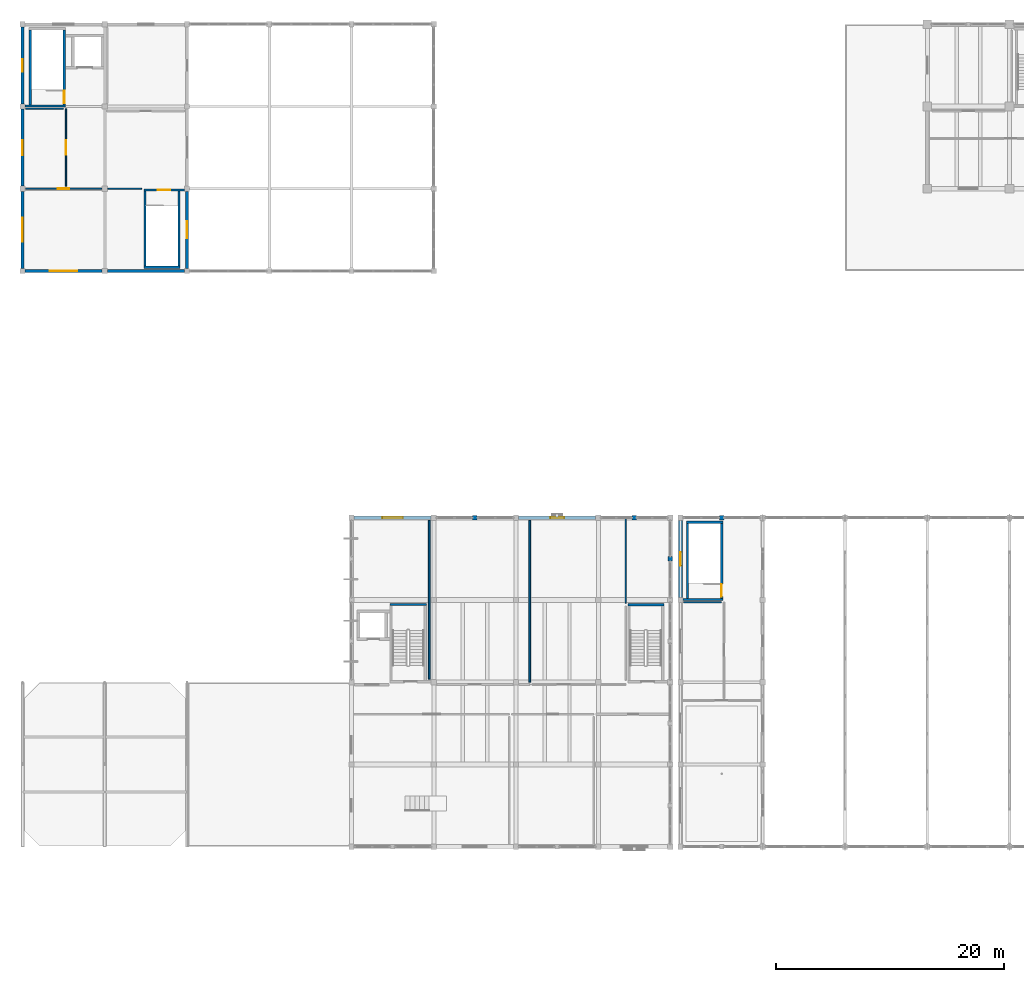
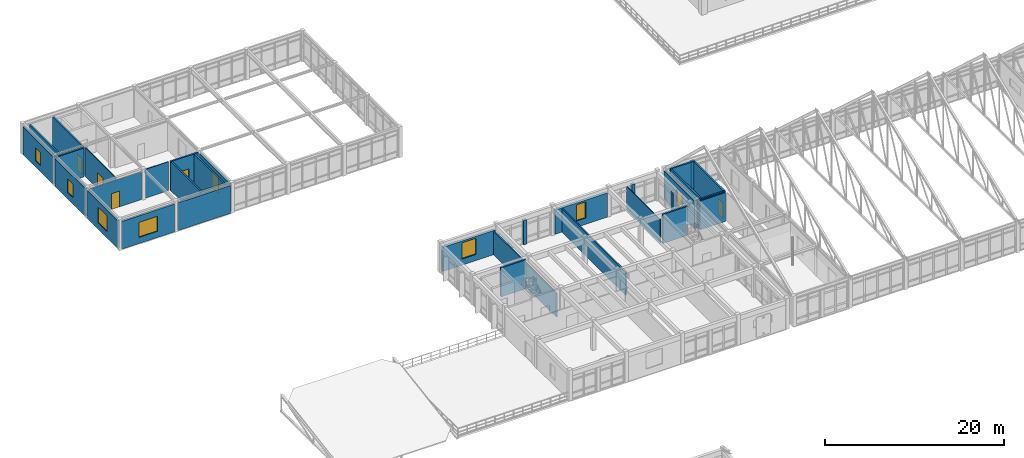
# One storey, part 113 of 136: 34 walls, 8 windows, 5 doors, 13 openings.
"""IFC4 building model written with IfcOpenShell, lengths in metres."""

from ifc_helpers import new_model, si_unit, direction, frame, frame_2d, origin, place, context, subcontext, project, spatial, rectangle, extrude, material, layer, layer_set, type_object, element, fill, save


model = new_model("IFC4")

# Units and contexts
model_context = context("Model", 3, precision=1e-05, world=origin(), true_north=direction((0.0, 1.0)))
body_context = subcontext(model_context, "Body", "Model", "MODEL_VIEW")
ifc_project = project(units=[si_unit("LENGTHUNIT", "METRE"), si_unit("AREAUNIT", "SQUARE_METRE"), si_unit("VOLUMEUNIT", "CUBIC_METRE"), si_unit("PLANEANGLEUNIT", "RADIAN"), si_unit("MASSUNIT", "GRAM", prefix="KILO")], contexts=[model_context])

# Site, building, storey
site_placement = place(None, origin())
site = spatial("IfcSite", under=ifc_project, at=site_placement, CompositionType="ELEMENT")
building_placement = place(site_placement, origin())
building = spatial("IfcBuilding", under=site, at=building_placement, Name="Koriwan Promenade Central Fire Station", CompositionType="ELEMENT")
storey_placement = place(building_placement, frame((0.0, 0.0, 5.39990234375)))
storey = spatial("IfcBuildingStorey", under=building, at=storey_placement, Name="L01", CompositionType="ELEMENT", Elevation=5.39990234375)

# Walls
ifc_material_1 = material(Name="Natural sillar sandstone ashlar", Category="masonry")
ifc_layer_1 = layer(ifc_material_1, 0.360107421875, Name="Natural sillar sandstone ashlar")
ifc_layer_set_1 = layer_set([ifc_layer_1], Name="Natural sillar sandstone ashlar")
wall_type_1 = type_object("IfcWallType", Name="ExtWall_SillarBase_360", PredefinedType="SOLIDWALL", material=ifc_layer_set_1)
wall_1_placement = place(storey_placement, frame((61.0, 72.0, 0.0), z_axis=(0.0, 0.0, 1.0), x_axis=(1.0, 0.0, 0.0)))
element("IfcWall", 1, at=wall_1_placement, inside=storey, type_object=wall_type_1, Name="V1 L01 sillar facade mullion pier 29", PredefinedType="SOLIDWALL", context=body_context, shape_type="SweptSolid", body=[
    extrude(rectangle(XDim=0.39990234375, YDim=0.360107421875, at=frame_2d((0.199951171875, 0.0))), origin(), (0.0, 0.0, 1.0), 3.72119140625),
])
wall_2_placement = place(storey_placement, frame((56.699951171875, 68.199951171875, 0.0), z_axis=(0.0, 0.0, 1.0), x_axis=(0.0, 1.0, 0.0)))
element("IfcWall", 2, at=wall_2_placement, inside=storey, type_object=wall_type_1, Name="V4 L01 sillar facade mullion pier 180", PredefinedType="SOLIDWALL", context=body_context, shape_type="SweptSolid", body=[
    extrude(rectangle(XDim=0.400146484375, YDim=0.360107421875, at=frame_2d((0.2001953125, 0.0))), origin(), (0.0, 0.0, 1.0), 3.2900390625),
])
wall_3_placement = place(storey_placement, frame((53.75, 72.0, 0.0), z_axis=(0.0, 0.0, 1.0), x_axis=(-1.0, 0.0, 0.0)))
element("IfcWall", 3, at=wall_3_placement, inside=storey, type_object=wall_type_1, Name="V4 L01 sillar facade mullion pier 181", PredefinedType="SOLIDWALL", context=body_context, shape_type="SweptSolid", body=[
    extrude(rectangle(XDim=0.39990234375, YDim=0.360107421875, at=frame_2d((0.199951171875, 0.0))), origin(), (0.0, 0.0, 1.0), 3.2900390625),
])
wall_4_placement = place(storey_placement, frame((39.800048828125, 72.0, 0.0), z_axis=(0.0, 0.0, 1.0), x_axis=(-1.0, 0.0, 0.0)))
element("IfcWall", 4, at=wall_4_placement, inside=storey, type_object=wall_type_1, Name="V4 L01 sillar facade mullion pier 183", PredefinedType="SOLIDWALL", context=body_context, shape_type="SweptSolid", body=[
    extrude(rectangle(XDim=0.400146484375, YDim=0.360107421875, at=frame_2d((0.2001953125, 0.0))), origin(), (0.0, 0.0, 1.0), 3.2900390625),
])

# Wall, opening, window
ifc_material_2 = material(Name="Precast concrete C40/50", Category="concrete")
ifc_layer_2 = layer(ifc_material_2, 0.320068359375, Name="Precast concrete C40/50")
ifc_layer_set_2 = layer_set([ifc_layer_2], Name="Precast concrete C40/50")
wall_type_2 = type_object("IfcWallType", Name="ExtWall_Terracotta_320", PredefinedType="ELEMENTEDWALL", material=ifc_layer_set_2)
wall_5_placement = place(storey_placement, frame((57.60009765625, 65.02490234375, 0.0), z_axis=(0.0, 0.0, 1.0), x_axis=(0.0, 1.0, 0.0)))
wall_5 = element("IfcWall", 5, at=wall_5_placement, inside=storey, type_object=wall_type_2, Name="V1 L01 exterior wall 28", PredefinedType="ELEMENTEDWALL", context=body_context, shape_type="SweptSolid", body=[
    extrude(rectangle(XDim=6.75, YDim=0.320068359375, at=frame_2d((3.375, 0.0))), origin(), (0.0, 0.0, 1.0), 3.773193359375),
])
opening_1_placement = place(wall_5_placement, frame((2.77490234375, 0.0, 0.85009765625)))
opening_1 = element("IfcOpeningElement", 6, at=opening_1_placement, cuts=wall_5, Name="Opening W-01", PredefinedType="OPENING", context=body_context, shape_type="SweptSolid", body=[
    extrude(rectangle(XDim=1.199951171875, YDim=2.199951171875, at=frame_2d((0.60009765625, 1.10009765625))), frame((0.0, 0.171875, 0.0), z_axis=(0.0, -1.0, 0.0), x_axis=(1.0, 0.0, 0.0)), (0.0, 0.0, 1.0), 0.343994140625),
])
ifc_material_3 = material(Name="Solar-control low-E laminated double glazing", Category="glass")
window_type_1 = type_object("IfcWindowType", Name="Win_Jharokha_1200x2200", PartitioningType="SINGLE_PANEL", PredefinedType="WINDOW", material=ifc_material_3)
window_1_placement = place(opening_1_placement, origin())
window_1 = element("IfcWindow", 7, at=window_1_placement, inside=storey, type_object=window_type_1, Name="V1 L01 window 0010", OverallHeight=2.199951171875, OverallWidth=1.199951171875, PartitioningType="SINGLE_PANEL", PredefinedType="WINDOW", context=body_context, shape_type="SweptSolid", body=[
    extrude(rectangle(XDim=1.199951171875, YDim=2.199951171875, at=frame_2d((0.60009765625, 1.10009765625))), frame((0.0, 0.030029296875, 0.0), z_axis=(0.0, -1.0, 0.0), x_axis=(1.0, 0.0, 0.0)), (0.0, 0.0, 1.0), 0.06005859375),
])
fill(opening_1, window_1)

wall_6_placement = place(storey_placement, frame((50.175048828125, 72.0, 0.0), z_axis=(0.0, 0.0, 1.0), x_axis=(-1.0, 0.0, 0.0)))
wall_6 = element("IfcWall", 8, at=wall_6_placement, inside=storey, type_object=wall_type_2, Name="V4 L01 exterior wall 182", PredefinedType="ELEMENTEDWALL", context=body_context, shape_type="SweptSolid", body=[
    extrude(rectangle(XDim=6.75, YDim=0.320068359375, at=frame_2d((3.375, 0.0))), origin(), (0.0, 0.0, 1.0), 3.2900390625),
])
opening_2_placement = place(wall_6_placement, frame((2.77490234375, 0.0, 0.85009765625)))
opening_2 = element("IfcOpeningElement", 9, at=opening_2_placement, cuts=wall_6, Name="Opening W-01", PredefinedType="OPENING", context=body_context, shape_type="SweptSolid", body=[
    extrude(rectangle(XDim=1.199951171875, YDim=2.199951171875, at=frame_2d((0.60009765625, 1.10009765625))), frame((0.0, 0.171875, 0.0), z_axis=(0.0, -1.0, 0.0), x_axis=(1.0, 0.0, 0.0)), (0.0, 0.0, 1.0), 0.343994140625),
])
window_2_placement = place(opening_2_placement, origin())
window_2 = element("IfcWindow", 10, at=window_2_placement, inside=storey, type_object=window_type_1, Name="V4 L01 window 0072", OverallHeight=2.199951171875, OverallWidth=1.199951171875, PartitioningType="SINGLE_PANEL", PredefinedType="WINDOW", context=body_context, shape_type="SweptSolid", body=[
    extrude(rectangle(XDim=1.199951171875, YDim=2.199951171875, at=frame_2d((0.60009765625, 1.10009765625))), frame((0.0, 0.030029296875, 0.0), z_axis=(0.0, -1.0, 0.0), x_axis=(1.0, 0.0, 0.0)), (0.0, 0.0, 1.0), 0.06005859375),
])
fill(opening_2, window_2)

wall_7_placement = place(storey_placement, frame((35.77490234375, 72.0, 0.0), z_axis=(0.0, 0.0, 1.0), x_axis=(-1.0, 0.0, 0.0)))
wall_7 = element("IfcWall", 11, at=wall_7_placement, inside=storey, type_object=wall_type_2, Name="V4 L01 exterior wall 184", PredefinedType="ELEMENTEDWALL", context=body_context, shape_type="SweptSolid", body=[
    extrude(rectangle(XDim=6.75, YDim=0.320068359375, at=frame_2d((3.375, 0.0))), origin(), (0.0, 0.0, 1.0), 3.2900390625),
])
opening_3_placement = place(wall_7_placement, frame((2.47509765625, 0.0, 0.85009765625)))
opening_3 = element("IfcOpeningElement", 12, at=opening_3_placement, cuts=wall_7, Name="Opening W-03", PredefinedType="OPENING", context=body_context, shape_type="SweptSolid", body=[
    extrude(rectangle(XDim=1.800048828125, YDim=2.199951171875, at=frame_2d((0.89990234375, 1.10009765625))), frame((0.0, 0.171875, 0.0), z_axis=(0.0, -1.0, 0.0), x_axis=(1.0, 0.0, 0.0)), (0.0, 0.0, 1.0), 0.343994140625),
])
window_type_2 = type_object("IfcWindowType", Name="Win_Jharokha_1800x2200", PartitioningType="SINGLE_PANEL", PredefinedType="WINDOW", material=ifc_material_3)
window_3_placement = place(opening_3_placement, origin())
window_3 = element("IfcWindow", 13, at=window_3_placement, inside=storey, type_object=window_type_2, Name="V4 L01 window 0073", OverallHeight=2.199951171875, OverallWidth=1.800048828125, PartitioningType="SINGLE_PANEL", PredefinedType="WINDOW", context=body_context, shape_type="SweptSolid", body=[
    extrude(rectangle(XDim=1.800048828125, YDim=2.199951171875, at=frame_2d((0.89990234375, 1.10009765625))), frame((0.0, 0.030029296875, 0.0), z_axis=(0.0, -1.0, 0.0), x_axis=(1.0, 0.0, 0.0)), (0.0, 0.0, 1.0), 0.06005859375),
])
fill(opening_3, window_3)

ifc_layer_3 = layer(ifc_material_2, 0.260009765625, Name="Precast concrete C40/50")
ifc_layer_set_3 = layer_set([ifc_layer_3], Name="Precast concrete C40/50")
wall_type_3 = type_object("IfcWallType", Name="ExtWall_WorkshopRed_260", PredefinedType="STANDARD", material=ifc_layer_set_3)
wall_8_placement = place(storey_placement, frame((14.39990234375, 93.824951171875, 0.0), z_axis=(0.0, 0.0, 1.0), x_axis=(0.0, 1.0, 0.0)))
wall_8 = element("IfcWall", 14, at=wall_8_placement, inside=storey, type_object=wall_type_3, Name="V6 L01 exterior wall 351", PredefinedType="STANDARD", context=body_context, shape_type="SweptSolid", body=[
    extrude(rectangle(XDim=6.75, YDim=0.260009765625, at=frame_2d((3.375, 0.0))), origin(), (0.0, 0.0, 1.0), 3.773193359375),
])
opening_4_placement = place(wall_8_placement, frame((2.625, 0.0, 0.85009765625)))
opening_4 = element("IfcOpeningElement", 15, at=opening_4_placement, cuts=wall_8, Name="Opening W-02", PredefinedType="OPENING", context=body_context, shape_type="SweptSolid", body=[
    extrude(rectangle(XDim=1.5, YDim=2.199951171875, at=frame_2d((0.75, 1.10009765625))), frame((0.0, 0.14208984375, 0.0), z_axis=(0.0, -1.0, 0.0), x_axis=(1.0, 0.0, 0.0)), (0.0, 0.0, 1.0), 0.283935546875),
])
window_type_3 = type_object("IfcWindowType", Name="Win_Jharokha_1500x2200", PartitioningType="SINGLE_PANEL", PredefinedType="WINDOW", material=ifc_material_3)
window_4_placement = place(opening_4_placement, origin())
window_4 = element("IfcWindow", 16, at=window_4_placement, inside=storey, type_object=window_type_3, Name="V6 L01 window 0115", OverallHeight=2.199951171875, OverallWidth=1.5, PartitioningType="SINGLE_PANEL", PredefinedType="WINDOW", context=body_context, shape_type="SweptSolid", body=[
    extrude(rectangle(XDim=1.5, YDim=2.199951171875, at=frame_2d((0.75, 1.10009765625))), frame((0.0, 0.030029296875, 0.0), z_axis=(0.0, -1.0, 0.0), x_axis=(1.0, 0.0, 0.0)), (0.0, 0.0, 1.0), 0.06005859375),
])
fill(opening_4, window_4)

wall_9_placement = place(storey_placement, frame((0.0, 114.97509765625, 0.0), z_axis=(0.0, 0.0, 1.0), x_axis=(0.0, -1.0, 0.0)))
wall_9 = element("IfcWall", 17, at=wall_9_placement, inside=storey, type_object=wall_type_3, Name="V6 L01 exterior wall 356", PredefinedType="STANDARD", context=body_context, shape_type="SweptSolid", body=[
    extrude(rectangle(XDim=6.75, YDim=0.260009765625, at=frame_2d((3.375, 0.0))), origin(), (0.0, 0.0, 1.0), 3.773193359375),
])
opening_5_placement = place(wall_9_placement, frame((2.824951171875, 0.0, 0.85009765625)))
opening_5 = element("IfcOpeningElement", 18, at=opening_5_placement, cuts=wall_9, Name="Opening W-09", PredefinedType="OPENING", context=body_context, shape_type="SweptSolid", body=[
    extrude(rectangle(XDim=1.10009765625, YDim=1.75, at=frame_2d((0.550048828125, 0.875))), frame((0.0, 0.14208984375, 0.0), z_axis=(0.0, -1.0, 0.0), x_axis=(1.0, 0.0, 0.0)), (0.0, 0.0, 1.0), 0.283935546875),
])
window_type_4 = type_object("IfcWindowType", Name="Win_Drill_1100x1750", PartitioningType="SINGLE_PANEL", PredefinedType="WINDOW", material=ifc_material_3)
window_5_placement = place(opening_5_placement, origin())
window_5 = element("IfcWindow", 19, at=window_5_placement, inside=storey, type_object=window_type_4, Name="V6 L01 window 0120", OverallHeight=1.75, OverallWidth=1.10009765625, PartitioningType="SINGLE_PANEL", PredefinedType="WINDOW", context=body_context, shape_type="SweptSolid", body=[
    extrude(rectangle(XDim=1.10009765625, YDim=1.75, at=frame_2d((0.550048828125, 0.875))), frame((0.0, 0.030029296875, 0.0), z_axis=(0.0, -1.0, 0.0), x_axis=(1.0, 0.0, 0.0)), (0.0, 0.0, 1.0), 0.06005859375),
])
fill(opening_5, window_5)

wall_10_placement = place(storey_placement, frame((0.0, 107.77490234375, 0.0), z_axis=(0.0, 0.0, 1.0), x_axis=(0.0, -1.0, 0.0)))
wall_10 = element("IfcWall", 20, at=wall_10_placement, inside=storey, type_object=wall_type_3, Name="V6 L01 exterior wall 357", PredefinedType="STANDARD", context=body_context, shape_type="SweptSolid", body=[
    extrude(rectangle(XDim=6.75, YDim=0.260009765625, at=frame_2d((3.375, 0.0))), origin(), (0.0, 0.0, 1.0), 3.773193359375),
])
opening_6_placement = place(wall_10_placement, frame((2.72509765625, 0.0, 0.85009765625)))
opening_6 = element("IfcOpeningElement", 21, at=opening_6_placement, cuts=wall_10, Name="Opening W-10", PredefinedType="OPENING", context=body_context, shape_type="SweptSolid", body=[
    extrude(rectangle(XDim=1.300048828125, YDim=1.85009765625, at=frame_2d((0.64990234375, 0.925048828125))), frame((0.0, 0.14208984375, 0.0), z_axis=(0.0, -1.0, 0.0), x_axis=(1.0, 0.0, 0.0)), (0.0, 0.0, 1.0), 0.283935546875),
])
window_type_5 = type_object("IfcWindowType", Name="Win_Drill_1300x1850", PartitioningType="SINGLE_PANEL", PredefinedType="WINDOW", material=ifc_material_3)
window_6_placement = place(opening_6_placement, origin())
window_6 = element("IfcWindow", 22, at=window_6_placement, inside=storey, type_object=window_type_5, Name="V6 L01 window 0121", OverallHeight=1.85009765625, OverallWidth=1.300048828125, PartitioningType="SINGLE_PANEL", PredefinedType="WINDOW", context=body_context, shape_type="SweptSolid", body=[
    extrude(rectangle(XDim=1.300048828125, YDim=1.85009765625, at=frame_2d((0.64990234375, 0.925048828125))), frame((0.0, 0.030029296875, 0.0), z_axis=(0.0, -1.0, 0.0), x_axis=(1.0, 0.0, 0.0)), (0.0, 0.0, 1.0), 0.06005859375),
])
fill(opening_6, window_6)

wall_11_placement = place(storey_placement, frame((0.0, 100.574951171875, 0.0), z_axis=(0.0, 0.0, 1.0), x_axis=(0.0, -1.0, 0.0)))
wall_11 = element("IfcWall", 23, at=wall_11_placement, inside=storey, type_object=wall_type_3, Name="V6 L01 exterior wall 358", PredefinedType="STANDARD", context=body_context, shape_type="SweptSolid", body=[
    extrude(rectangle(XDim=6.75, YDim=0.260009765625, at=frame_2d((3.375, 0.0))), origin(), (0.0, 0.0, 1.0), 3.773193359375),
])
opening_7_placement = place(wall_11_placement, frame((2.324951171875, 0.0, 0.85009765625)))
opening_7 = element("IfcOpeningElement", 24, at=opening_7_placement, cuts=wall_11, Name="Opening W-11", PredefinedType="OPENING", context=body_context, shape_type="SweptSolid", body=[
    extrude(rectangle(XDim=2.10009765625, YDim=2.14990234375, at=frame_2d((1.050048828125, 1.074951171875))), frame((0.0, 0.14208984375, 0.0), z_axis=(0.0, -1.0, 0.0), x_axis=(1.0, 0.0, 0.0)), (0.0, 0.0, 1.0), 0.283935546875),
])
window_type_6 = type_object("IfcWindowType", Name="Win_Pavilion_2100x2150", PartitioningType="SINGLE_PANEL", PredefinedType="WINDOW", material=ifc_material_3)
window_7_placement = place(opening_7_placement, origin())
window_7 = element("IfcWindow", 25, at=window_7_placement, inside=storey, type_object=window_type_6, Name="V6 L01 window 0122", OverallHeight=2.14990234375, OverallWidth=2.10009765625, PartitioningType="SINGLE_PANEL", PredefinedType="WINDOW", context=body_context, shape_type="SweptSolid", body=[
    extrude(rectangle(XDim=2.10009765625, YDim=2.14990234375, at=frame_2d((1.050048828125, 1.074951171875))), frame((0.0, 0.030029296875, 0.0), z_axis=(0.0, -1.0, 0.0), x_axis=(1.0, 0.0, 0.0)), (0.0, 0.0, 1.0), 0.06005859375),
])
fill(opening_7, window_7)

wall_12_placement = place(storey_placement, frame((0.22509765625, 93.60009765625, 0.0), z_axis=(0.0, 0.0, 1.0), x_axis=(1.0, 0.0, 0.0)))
wall_12 = element("IfcWall", 26, at=wall_12_placement, inside=storey, type_object=wall_type_3, Name="V6 L01 exterior wall 359", PredefinedType="STANDARD", context=body_context, shape_type="SweptSolid", body=[
    extrude(rectangle(XDim=6.75, YDim=0.260009765625, at=frame_2d((3.375, 0.0))), origin(), (0.0, 0.0, 1.0), 3.775146484375),
])
opening_8_placement = place(wall_12_placement, frame((2.175048828125, 0.0, 0.85009765625)))
opening_8 = element("IfcOpeningElement", 27, at=opening_8_placement, cuts=wall_12, Name="Opening W-12", PredefinedType="OPENING", context=body_context, shape_type="SweptSolid", body=[
    extrude(rectangle(XDim=2.39990234375, YDim=2.050048828125, at=frame_2d((1.199951171875, 1.02490234375))), frame((0.0, 0.14208984375, 0.0), z_axis=(0.0, -1.0, 0.0), x_axis=(1.0, 0.0, 0.0)), (0.0, 0.0, 1.0), 0.283935546875),
])
window_type_7 = type_object("IfcWindowType", Name="Win_Pavilion_2400x2050", PartitioningType="SINGLE_PANEL", PredefinedType="WINDOW", material=ifc_material_3)
window_8_placement = place(opening_8_placement, origin())
window_8 = element("IfcWindow", 28, at=window_8_placement, inside=storey, type_object=window_type_7, Name="V6 L01 window 0123", OverallHeight=2.050048828125, OverallWidth=2.39990234375, PartitioningType="SINGLE_PANEL", PredefinedType="WINDOW", context=body_context, shape_type="SweptSolid", body=[
    extrude(rectangle(XDim=2.39990234375, YDim=2.050048828125, at=frame_2d((1.199951171875, 1.02490234375))), frame((0.0, 0.030029296875, 0.0), z_axis=(0.0, -1.0, 0.0), x_axis=(1.0, 0.0, 0.0)), (0.0, 0.0, 1.0), 0.06005859375),
])
fill(opening_8, window_8)

# Walls
wall_13_placement = place(storey_placement, frame((7.425048828125, 93.60009765625, 0.0), z_axis=(0.0, 0.0, 1.0), x_axis=(1.0, 0.0, 0.0)))
element("IfcWall", 29, at=wall_13_placement, inside=storey, type_object=wall_type_3, Name="V6 L01 exterior wall 360", PredefinedType="STANDARD", context=body_context, shape_type="SweptSolid", body=[
    extrude(rectangle(XDim=6.75, YDim=0.260009765625, at=frame_2d((3.375, 0.0))), origin(), (0.0, 0.0, 1.0), 3.775146484375),
])
ifc_material_4 = material(Name="Gypsum board acoustic stud partition", Category="gypsum")
ifc_layer_4 = layer(ifc_material_4, 0.10009765625, Name="Gypsum board acoustic stud partition")
ifc_layer_set_4 = layer_set([ifc_layer_4], Name="Gypsum board acoustic stud partition")
wall_type_4 = type_object("IfcWallType", Name="IntWall_Drywall_100", PredefinedType="PARTITIONING", material=ifc_layer_set_4)
wall_14_placement = place(storey_placement, frame((52.800048828125, 64.51611328125, 0.0), z_axis=(0.0, 0.0, 1.0), x_axis=(0.0, 1.0, 0.0)))
element("IfcWall", 30, at=wall_14_placement, inside=storey, type_object=wall_type_4, Name="Crew Fitness Gym and Conditioning Studio partition E", PredefinedType="PARTITIONING", context=body_context, shape_type="SweptSolid", body=[
    extrude(rectangle(XDim=7.48388671875, YDim=0.10009765625, at=frame_2d((3.741943359375, 0.0))), origin(), (0.0, 0.0, 1.0), 3.18798828125),
])

# Wall, opening, door
wall_15_placement = place(storey_placement, frame((0.264892578125, 100.800048828125, 0.0), z_axis=(0.0, 0.0, 1.0), x_axis=(1.0, 0.0, 0.0)))
wall_15 = element("IfcWall", 31, at=wall_15_placement, inside=storey, type_object=wall_type_4, Name="Fleet Engineering Office partition N", PredefinedType="PARTITIONING", context=body_context, shape_type="SweptSolid", body=[
    extrude(rectangle(XDim=6.670166015625, YDim=0.10009765625, at=frame_2d((3.3349609375, 0.0))), origin(), (0.0, 0.0, 1.0), 3.773193359375),
])
opening_9_placement = place(wall_15_placement, frame((2.8349609375, 0.0, 0.0)))
opening_9 = element("IfcOpeningElement", 32, at=opening_9_placement, cuts=wall_15, Name="Opening D-200", PredefinedType="OPENING", context=body_context, shape_type="SweptSolid", body=[
    extrude(rectangle(XDim=1.0, YDim=2.14990234375, at=frame_2d((0.5, 1.074951171875))), frame((0.0, 0.06201171875, 0.0), z_axis=(0.0, -1.0, 0.0), x_axis=(1.0, 0.0, 0.0)), (0.0, 0.0, 1.0), 0.1240234375),
])
ifc_material_5 = material(Name="Hardwood veneer solid-core timber", Category="wood")
door_type_1 = type_object("IfcDoorType", Name="RoomDoor_Office_1000x2150", OperationType="NOTDEFINED", PredefinedType="DOOR", material=ifc_material_5)
door_1_placement = place(opening_9_placement, origin())
door_1 = element("IfcDoor", 33, at=door_1_placement, inside=storey, type_object=door_type_1, Name="Fleet Engineering Office Door D-200", OperationType="SINGLE_SWING_RIGHT", OverallHeight=2.14990234375, OverallWidth=1.0, PredefinedType="DOOR", context=body_context, shape_type="SweptSolid", body=[
    extrude(rectangle(XDim=1.0, YDim=2.14990234375, at=frame_2d((0.5, 1.074951171875))), frame((0.0, 0.02490234375, 0.0), z_axis=(0.0, -1.0, 0.0), x_axis=(1.0, 0.0, 0.0)), (0.0, 0.0, 1.0), 0.050048828125),
])
fill(opening_9, door_1)

# Wall
wall_16_placement = place(storey_placement, frame((7.465087890625, 100.800048828125, 0.0), z_axis=(0.0, 0.0, 1.0), x_axis=(1.0, 0.0, 0.0)))
element("IfcWall", 34, at=wall_16_placement, inside=storey, type_object=wall_type_4, Name="Fleet Engineering Office partition N", PredefinedType="PARTITIONING", context=body_context, shape_type="SweptSolid", body=[
    extrude(rectangle(XDim=2.94921875, YDim=0.10009765625, at=frame_2d((1.474609375, 0.0))), origin(), (0.0, 0.0, 1.0), 3.920166015625),
])

# Wall, opening, door
wall_17_placement = place(storey_placement, frame((3.800048828125, 101.02001953125, 0.0), z_axis=(0.0, 0.0, 1.0), x_axis=(0.0, 1.0, 0.0)))
wall_17 = element("IfcWall", 35, at=wall_17_placement, inside=storey, type_object=wall_type_4, Name="Hose and SCBA Cylinder Testing Lab partition E", PredefinedType="PARTITIONING", context=body_context, shape_type="SweptSolid", body=[
    extrude(rectangle(XDim=6.780029296875, YDim=0.10009765625, at=frame_2d((3.39013671875, 0.0))), origin(), (0.0, 0.0, 1.0), 3.920166015625),
])
opening_10_placement = place(wall_17_placement, frame((2.764892578125, 0.0, 0.0)))
opening_10 = element("IfcOpeningElement", 36, at=opening_10_placement, cuts=wall_17, Name="Opening D-201", PredefinedType="OPENING", context=body_context, shape_type="SweptSolid", body=[
    extrude(rectangle(XDim=1.25, YDim=2.14990234375, at=frame_2d((0.625, 1.074951171875))), frame((0.0, 0.06201171875, 0.0), z_axis=(0.0, -1.0, 0.0), x_axis=(1.0, 0.0, 0.0)), (0.0, 0.0, 1.0), 0.1240234375),
])
door_type_2 = type_object("IfcDoorType", Name="RoomDoor_Lab_1250x2150", OperationType="NOTDEFINED", PredefinedType="DOOR", material=ifc_material_5)
door_2_placement = place(opening_10_placement, origin())
door_2 = element("IfcDoor", 37, at=door_2_placement, inside=storey, type_object=door_type_2, Name="Hose and SCBA Cylinder Testing Lab Door D-201", OperationType="SINGLE_SWING_LEFT", OverallHeight=2.14990234375, OverallWidth=1.25, PredefinedType="DOOR", context=body_context, shape_type="SweptSolid", body=[
    extrude(rectangle(XDim=1.25, YDim=2.14990234375, at=frame_2d((0.625, 1.074951171875))), frame((0.0, 0.02490234375, 0.0), z_axis=(0.0, -1.0, 0.0), x_axis=(1.0, 0.0, 0.0)), (0.0, 0.0, 1.0), 0.050048828125),
])
fill(opening_10, door_2)

# Walls
wall_18_placement = place(storey_placement, frame((0.264892578125, 107.800048828125, 0.0), z_axis=(0.0, 0.0, 1.0), x_axis=(1.0, 0.0, 0.0)))
element("IfcWall", 38, at=wall_18_placement, inside=storey, type_object=wall_type_4, Name="Hose and SCBA Cylinder Testing Lab partition N", PredefinedType="PARTITIONING", context=body_context, shape_type="SweptSolid", body=[
    extrude(rectangle(XDim=3.315185546875, YDim=0.10009765625, at=frame_2d((1.65771484375, 0.0))), origin(), (0.0, 0.0, 1.0), 3.920166015625),
])
ifc_layer_5 = layer(ifc_material_4, 0.1201171875, Name="Gypsum board acoustic stud partition")
ifc_layer_set_5 = layer_set([ifc_layer_5], Name="Gypsum board acoustic stud partition")
wall_type_5 = type_object("IfcWallType", Name="IntWall_Drywall_120", PredefinedType="PARTITIONING", material=ifc_layer_set_5)
wall_19_placement = place(storey_placement, frame((57.864990234375, 64.60009765625, 0.0), z_axis=(0.0, 0.0, 1.0), x_axis=(1.0, 0.0, 0.0)))
element("IfcWall", 39, at=wall_19_placement, inside=storey, type_object=wall_type_5, Name="Hose Inspection and Testing Room partition N", PredefinedType="PARTITIONING", context=body_context, shape_type="SweptSolid", body=[
    extrude(rectangle(XDim=3.31494140625, YDim=0.1201171875, at=frame_2d((1.657470703125, 0.0))), origin(), (0.0, 0.0, 1.0), 3.920166015625),
])
ifc_material_6 = material(Name="Clay brick plastered masonry wall", Category="masonry")
ifc_layer_6 = layer(ifc_material_6, 0.14990234375, Name="Clay brick plastered masonry wall")
ifc_layer_set_6 = layer_set([ifc_layer_6], Name="Clay brick plastered masonry wall")
wall_type_6 = type_object("IfcWallType", Name="IntWall_Masonry_150", PredefinedType="STANDARD", material=ifc_layer_set_6)
wall_20_placement = place(storey_placement, frame((44.39990234375, 57.6201171875, 0.0), z_axis=(0.0, 0.0, 1.0), x_axis=(0.0, 1.0, 0.0)))
element("IfcWall", 40, at=wall_20_placement, inside=storey, type_object=wall_type_6, Name="Crew Dayroom and Briefing Lounge partition E", PredefinedType="STANDARD", context=body_context, shape_type="SweptSolid", body=[
    extrude(rectangle(XDim=14.159912109375, YDim=0.14990234375, at=frame_2d((7.080078125, 0.0))), origin(), (0.0, 0.0, 1.0), 3.18798828125),
])
wall_21_placement = place(storey_placement, frame((35.60009765625, 57.8701171875, 0.0), z_axis=(0.0, 0.0, 1.0), x_axis=(0.0, 1.0, 0.0)))
element("IfcWall", 41, at=wall_21_placement, inside=storey, type_object=wall_type_6, Name="Crew Dayroom and Briefing Lounge partition W", PredefinedType="STANDARD", context=body_context, shape_type="SweptSolid", body=[
    extrude(rectangle(XDim=13.909912109375, YDim=0.14990234375, at=frame_2d((6.955078125, 0.0))), origin(), (0.0, 0.0, 1.0), 3.238037109375),
])
ifc_material_7 = material(Name="Concrete C40/50", Category="concrete")
ifc_layer_7 = layer(ifc_material_7, 0.199951171875, Name="Concrete C40/50")
ifc_layer_set_7 = layer_set([ifc_layer_7], Name="Concrete C40/50")
wall_type_7 = type_object("IfcWallType", Name="ShearWall_200", PredefinedType="SHEAR", material=ifc_layer_set_7)
wall_22_placement = place(storey_placement, frame((57.824951171875, 64.85009765625, 0.0), z_axis=(0.0, 0.0, 1.0), x_axis=(1.0, 0.0, 0.0)))
element("IfcWall", 42, at=wall_22_placement, inside=storey, type_object=wall_type_7, Name="ST01 L01 structural stair wall S", PredefinedType="SHEAR", context=body_context, shape_type="SweptSolid", body=[
    extrude(rectangle(XDim=3.47509765625, YDim=0.199951171875, at=frame_2d((1.737548828125, 0.0))), origin(), (0.0, 0.0, 1.0), 3.9501953125),
])
wall_23_placement = place(storey_placement, frame((58.110107421875, 71.610107421875, 0.0), z_axis=(0.0, 0.0, 1.0), x_axis=(1.0, 0.0, 0.0)))
element("IfcWall", 43, at=wall_23_placement, inside=storey, type_object=wall_type_7, Name="ST01 L01 structural stair wall N", PredefinedType="SHEAR", context=body_context, shape_type="SweptSolid", body=[
    extrude(rectangle(XDim=3.18994140625, YDim=0.199951171875, at=frame_2d((1.594970703125, 0.0))), origin(), (0.0, 0.0, 1.0), 3.9501953125),
])
wall_24_placement = place(storey_placement, frame((58.2099609375, 64.949951171875, 0.0), z_axis=(0.0, 0.0, 1.0), x_axis=(0.0, 1.0, 0.0)))
element("IfcWall", 44, at=wall_24_placement, inside=storey, type_object=wall_type_7, Name="ST01 L01 structural stair wall W", PredefinedType="SHEAR", context=body_context, shape_type="SweptSolid", body=[
    extrude(rectangle(XDim=6.56005859375, YDim=0.199951171875, at=frame_2d((3.280029296875, 0.0))), origin(), (0.0, 0.0, 1.0), 3.9501953125),
])

# Wall, opening, door
wall_25_placement = place(storey_placement, frame((61.199951171875, 64.949951171875, 0.0), z_axis=(0.0, 0.0, 1.0), x_axis=(0.0, 1.0, 0.0)))
wall_25 = element("IfcWall", 45, at=wall_25_placement, inside=storey, type_object=wall_type_7, Name="ST01 L01 structural stair wall E", PredefinedType="SHEAR", context=body_context, shape_type="SweptSolid", body=[
    extrude(rectangle(XDim=6.56005859375, YDim=0.199951171875, at=frame_2d((3.280029296875, 0.0))), origin(), (0.0, 0.0, 1.0), 3.9501953125),
])
opening_11_placement = place(wall_25_placement, frame((0.139892578125, 0.0, 0.0)))
opening_11 = element("IfcOpeningElement", 46, at=opening_11_placement, cuts=wall_25, Name="Opening SD-003", PredefinedType="OPENING", context=body_context, shape_type="SweptSolid", body=[
    extrude(rectangle(XDim=1.10009765625, YDim=2.14990234375, at=frame_2d((0.550048828125, 1.074951171875))), frame((0.0, 0.11181640625, 0.0), z_axis=(0.0, -1.0, 0.0), x_axis=(1.0, 0.0, 0.0)), (0.0, 0.0, 1.0), 0.223876953125),
])
ifc_material_8 = material(Name="Painted galvanized fire-door steel", Category="steel")
door_type_3 = type_object("IfcDoorType", Name="FireDoor_Stair_1100x2150", OperationType="NOTDEFINED", PredefinedType="DOOR", material=ifc_material_8)
door_3_placement = place(opening_11_placement, origin())
door_3 = element("IfcDoor", 47, at=door_3_placement, inside=storey, type_object=door_type_3, Name="Protected Stair ST01 Fire Door SD-003", OperationType="SINGLE_SWING_RIGHT", OverallHeight=2.14990234375, OverallWidth=1.10009765625, PredefinedType="DOOR", context=body_context, shape_type="SweptSolid", body=[
    extrude(rectangle(XDim=1.10009765625, YDim=2.14990234375, at=frame_2d((0.550048828125, 1.074951171875))), frame((0.0, 0.02490234375, 0.0), z_axis=(0.0, -1.0, 0.0), x_axis=(1.0, 0.0, 0.0)), (0.0, 0.0, 1.0), 0.050048828125),
])
fill(opening_11, door_3)

# Walls
wall_26_placement = place(storey_placement, frame((32.159912109375, 64.409912109375, 0.0), z_axis=(0.0, 0.0, 1.0), x_axis=(1.0, 0.0, 0.0)))
element("IfcWall", 48, at=wall_26_placement, inside=storey, type_object=wall_type_7, Name="ST18 L01 structural stair wall N", PredefinedType="SHEAR", context=body_context, shape_type="SweptSolid", body=[
    extrude(rectangle(XDim=3.190185546875, YDim=0.199951171875, at=frame_2d((1.59521484375, 0.0))), origin(), (0.0, 0.0, 1.0), 3.9501953125),
])
wall_27_placement = place(storey_placement, frame((52.97998046875, 64.389892578125, 0.0), z_axis=(0.0, 0.0, 1.0), x_axis=(1.0, 0.0, 0.0)))
element("IfcWall", 49, at=wall_27_placement, inside=storey, type_object=wall_type_7, Name="ST20 L01 structural stair wall N", PredefinedType="SHEAR", context=body_context, shape_type="SweptSolid", body=[
    extrude(rectangle(XDim=3.169921875, YDim=0.199951171875, at=frame_2d((1.5849609375, 0.0))), origin(), (0.0, 0.0, 1.0), 3.9501953125),
])
wall_28_placement = place(storey_placement, frame((0.22509765625, 108.050048828125, 0.0), z_axis=(0.0, 0.0, 1.0), x_axis=(1.0, 0.0, 0.0)))
element("IfcWall", 50, at=wall_28_placement, inside=storey, type_object=wall_type_7, Name="ST32 L01 structural stair wall S", PredefinedType="SHEAR", context=body_context, shape_type="SweptSolid", body=[
    extrude(rectangle(XDim=3.52490234375, YDim=0.199951171875, at=frame_2d((1.762451171875, 0.0))), origin(), (0.0, 0.0, 1.0), 3.9501953125),
])
wall_29_placement = place(storey_placement, frame((0.659912109375, 108.14990234375, 0.0), z_axis=(0.0, 0.0, 1.0), x_axis=(0.0, 1.0, 0.0)))
element("IfcWall", 51, at=wall_29_placement, inside=storey, type_object=wall_type_7, Name="ST32 L01 structural stair wall W", PredefinedType="SHEAR", context=body_context, shape_type="SweptSolid", body=[
    extrude(rectangle(XDim=6.56005859375, YDim=0.199951171875, at=frame_2d((3.280029296875, 0.0))), origin(), (0.0, 0.0, 1.0), 3.9501953125),
])

# Wall, opening, door
wall_30_placement = place(storey_placement, frame((3.64990234375, 108.14990234375, 0.0), z_axis=(0.0, 0.0, 1.0), x_axis=(0.0, 1.0, 0.0)))
wall_30 = element("IfcWall", 52, at=wall_30_placement, inside=storey, type_object=wall_type_7, Name="ST32 L01 structural stair wall E", PredefinedType="SHEAR", context=body_context, shape_type="SweptSolid", body=[
    extrude(rectangle(XDim=6.56005859375, YDim=0.199951171875, at=frame_2d((3.280029296875, 0.0))), origin(), (0.0, 0.0, 1.0), 3.9501953125),
])
opening_12_placement = place(wall_30_placement, frame((0.139892578125, 0.0, 0.0)))
opening_12 = element("IfcOpeningElement", 53, at=opening_12_placement, cuts=wall_30, Name="Opening SD-045", PredefinedType="OPENING", context=body_context, shape_type="SweptSolid", body=[
    extrude(rectangle(XDim=1.10009765625, YDim=2.14990234375, at=frame_2d((0.550048828125, 1.074951171875))), frame((0.0, 0.11181640625, 0.0), z_axis=(0.0, -1.0, 0.0), x_axis=(1.0, 0.0, 0.0)), (0.0, 0.0, 1.0), 0.223876953125),
])
door_4_placement = place(opening_12_placement, origin())
door_4 = element("IfcDoor", 54, at=door_4_placement, inside=storey, type_object=door_type_3, Name="Protected Stair ST32 Fire Door SD-045", OperationType="SINGLE_SWING_RIGHT", OverallHeight=2.14990234375, OverallWidth=1.10009765625, PredefinedType="DOOR", context=body_context, shape_type="SweptSolid", body=[
    extrude(rectangle(XDim=1.10009765625, YDim=2.14990234375, at=frame_2d((0.550048828125, 1.074951171875))), frame((0.0, 0.02490234375, 0.0), z_axis=(0.0, -1.0, 0.0), x_axis=(1.0, 0.0, 0.0)), (0.0, 0.0, 1.0), 0.050048828125),
])
fill(opening_12, door_4)

# Wall
wall_31_placement = place(storey_placement, frame((10.610107421875, 93.93994140625, 0.0), z_axis=(0.0, 0.0, 1.0), x_axis=(1.0, 0.0, 0.0)))
element("IfcWall", 55, at=wall_31_placement, inside=storey, type_object=wall_type_7, Name="ST33 L01 structural stair wall S", PredefinedType="SHEAR", context=body_context, shape_type="SweptSolid", body=[
    extrude(rectangle(XDim=3.18994140625, YDim=0.199951171875, at=frame_2d((1.594970703125, 0.0))), origin(), (0.0, 0.0, 1.0), 3.9501953125),
])

# Wall, opening, door
wall_32_placement = place(storey_placement, frame((10.610107421875, 100.699951171875, 0.0), z_axis=(0.0, 0.0, 1.0), x_axis=(1.0, 0.0, 0.0)))
wall_32 = element("IfcWall", 56, at=wall_32_placement, inside=storey, type_object=wall_type_7, Name="ST33 L01 structural stair wall N", PredefinedType="SHEAR", context=body_context, shape_type="SweptSolid", body=[
    extrude(rectangle(XDim=3.56494140625, YDim=0.199951171875, at=frame_2d((1.782470703125, 0.0))), origin(), (0.0, 0.0, 1.0), 3.9501953125),
])
opening_13_placement = place(wall_32_placement, frame((1.232421875, 0.0, 0.0)))
opening_13 = element("IfcOpeningElement", 57, at=opening_13_placement, cuts=wall_32, Name="Opening SD-047", PredefinedType="OPENING", context=body_context, shape_type="SweptSolid", body=[
    extrude(rectangle(XDim=1.10009765625, YDim=2.14990234375, at=frame_2d((0.550048828125, 1.074951171875))), frame((0.0, 0.11181640625, 0.0), z_axis=(0.0, -1.0, 0.0), x_axis=(1.0, 0.0, 0.0)), (0.0, 0.0, 1.0), 0.223876953125),
])
door_5_placement = place(opening_13_placement, frame((1.10009765625, 0.0, 0.0), z_axis=(0.0, 0.0, 1.0), x_axis=(-1.0, 0.0, 0.0)))
door_5 = element("IfcDoor", 58, at=door_5_placement, inside=storey, type_object=door_type_3, Name="Protected Stair ST33 Fire Door SD-047", OperationType="SINGLE_SWING_RIGHT", OverallHeight=2.14990234375, OverallWidth=1.10009765625, PredefinedType="DOOR", context=body_context, shape_type="SweptSolid", body=[
    extrude(rectangle(XDim=1.10009765625, YDim=2.14990234375, at=frame_2d((0.550048828125, 1.074951171875))), frame((0.0, 0.02490234375, 0.0), z_axis=(0.0, -1.0, 0.0), x_axis=(1.0, 0.0, 0.0)), (0.0, 0.0, 1.0), 0.050048828125),
])
fill(opening_13, door_5)

# Walls
for number, where, z_axis, x_axis, name in (
    (59, (10.7099609375, 94.0400390625, 0.0), (0.0, 0.0, 1.0), (0.0, 1.0, 0.0), "ST33 L01 structural stair wall W"),
    (60, (13.699951171875, 94.0400390625, 0.0), (0.0, 0.0, 1.0), (0.0, 1.0, 0.0), "ST33 L01 structural stair wall E"),
):
    element("IfcWall", number, at=place(storey_placement, frame(where, z_axis=z_axis, x_axis=x_axis)), inside=storey, type_object=wall_type_7, Name=name, PredefinedType="SHEAR", context=body_context, shape_type="SweptSolid", body=[
        extrude(rectangle(XDim=6.56005859375, YDim=0.199951171875, at=frame_2d((3.280029296875, 0.0))), origin(), (0.0, 0.0, 1.0), 3.9501953125),
    ])

save(model, "model.ifc")
